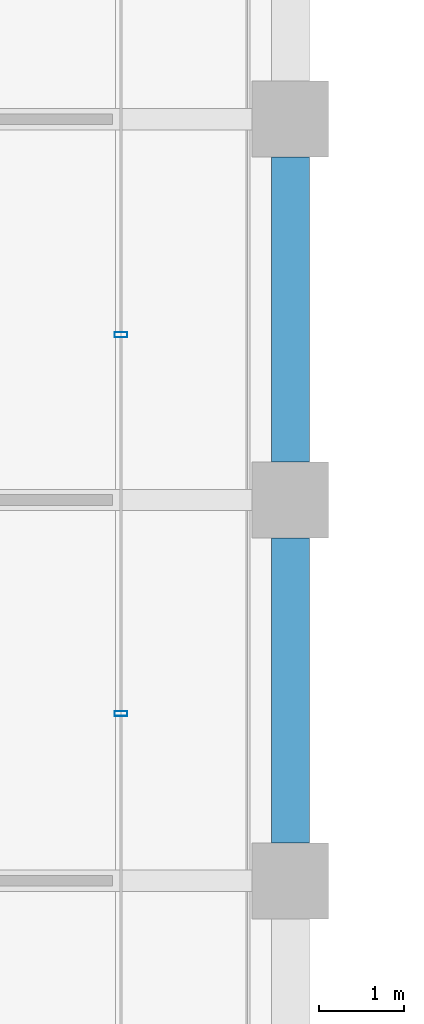
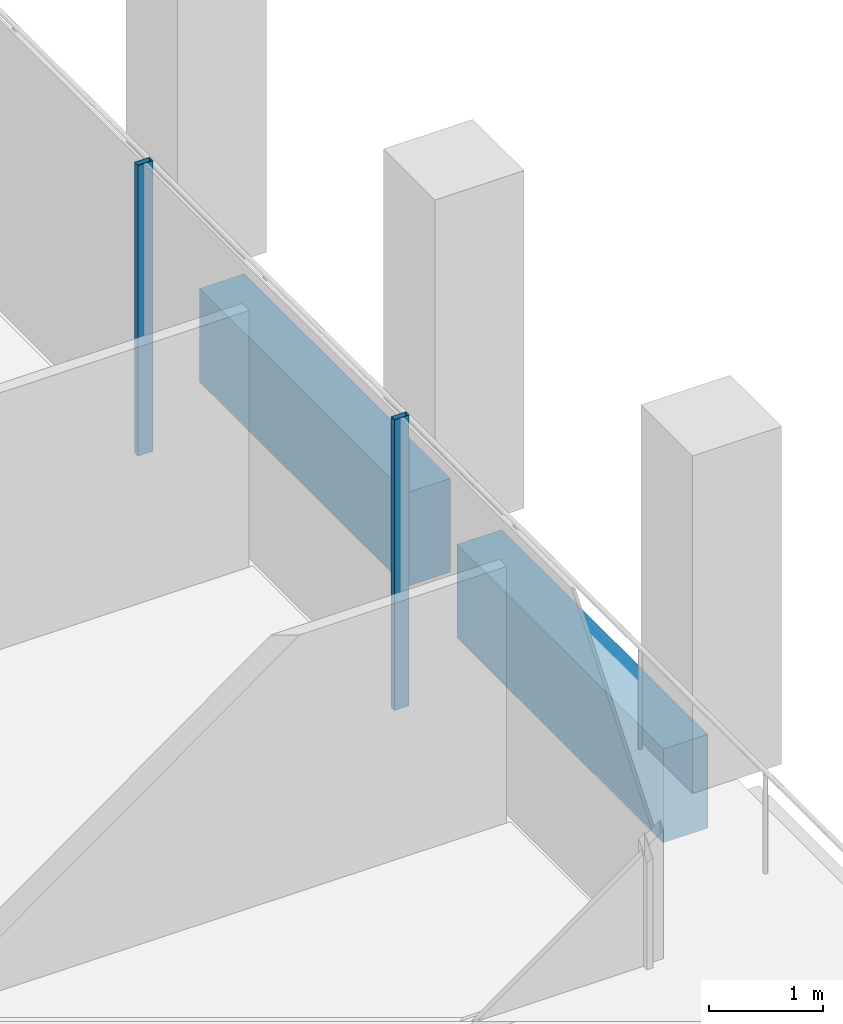
# One storey, part 15 of 40: 2 beams, 2 members, 1 element without a shape of its own.
"""IFC4 building model written with IfcOpenShell, lengths in metres."""

from ifc_helpers import new_model, si_unit, direction, frame, origin, origin_2d, place, context, subcontext, project, spatial, rectangle, hollow_rectangle, extrude, material, material_profile, profile_set, type_object, element, aggregate, save


model = new_model("IFC4")

# Units and contexts
model_context = context("Model", 3, precision=1e-05, world=origin(), true_north=direction((0.0, 1.0)))
body_context = subcontext(model_context, "Body", "Model", "MODEL_VIEW")
ifc_project = project(units=[si_unit("LENGTHUNIT", "METRE"), si_unit("AREAUNIT", "SQUARE_METRE"), si_unit("VOLUMEUNIT", "CUBIC_METRE"), si_unit("PLANEANGLEUNIT", "RADIAN"), si_unit("MASSUNIT", "GRAM", prefix="KILO")], contexts=[model_context])

# Site, building, storey
site_placement = place(None, origin())
site = spatial("IfcSite", under=ifc_project, at=site_placement, CompositionType="ELEMENT")
building_placement = place(site_placement, origin())
building = spatial("IfcBuilding", under=site, at=building_placement, Name="Altepetl Exchange Towers", CompositionType="ELEMENT")
storey_placement = place(building_placement, frame((0.0, 0.0, 176.199951171875)))
storey = spatial("IfcBuildingStorey", under=building, at=storey_placement, Name="L44", CompositionType="ELEMENT", Elevation=176.199951171875)

# Curtain wall, members
ifc_material_1 = material(Name="Aluminium 6063-T6 glazing", Category="aluminium")
curtain_wall_type = type_object("IfcCurtainWallType", Name="Loggia glazing system", PredefinedType="NOTDEFINED", material=ifc_material_1)
curtain_wall_placement = place(storey_placement, origin())
curtain_wall = element("IfcCurtainWall", 1, at=curtain_wall_placement, inside=storey, type_object=curtain_wall_type, Name="CW1 run", PredefinedType="NOTDEFINED")
ifc_material_2 = material(Name="Aluminium 6063-T6", Category="aluminium")
ifc_material_profile_1 = material_profile(ifc_material_2, hollow_rectangle(XDim=0.06005859375, YDim=0.14990234375, WallThickness=0.0029296875, at=origin_2d()), Name="Mullion 60x150 aluminium")
ifc_profile_set_1 = profile_set([ifc_material_profile_1], Name="Aluminium 6063-T6")
member_type = type_object("IfcMemberType", Name="Mullion 60x150 aluminium", PredefinedType="MULLION", material=ifc_profile_set_1)
member_1_placement = place(storey_placement, frame((70.0, 37.97607421875, 0.0), z_axis=(0.0, 0.0, 1.0), x_axis=(0.0, 1.0, 0.0)))
member_1 = element("IfcMember", 2, at=member_1_placement, type_object=member_type, Name="MU1 mullion", PredefinedType="MULLION", context=body_context, shape_type="SweptSolid", body=[
    extrude(hollow_rectangle(XDim=0.06005859375, YDim=0.14990234375, WallThickness=0.0029296875, at=origin_2d()), origin(), (0.0, 0.0, 1.0), 3.10009765625),
])
member_2_placement = place(storey_placement, frame((70.0, 42.451904296875, 0.0), z_axis=(0.0, 0.0, 1.0), x_axis=(0.0, 1.0, 0.0)))
member_2 = element("IfcMember", 3, at=member_2_placement, type_object=member_type, Name="MU1 mullion", PredefinedType="MULLION", context=body_context, shape_type="SweptSolid", body=[
    extrude(hollow_rectangle(XDim=0.06005859375, YDim=0.14990234375, WallThickness=0.0029296875, at=origin_2d()), origin(), (0.0, 0.0, 1.0), 3.10009765625),
])
aggregate(curtain_wall, [member_1, member_2])

# Beams
ifc_material_3 = material(Name="Concrete C50/60 precast with cantera amarilla facing", Category="concrete")
ifc_material_profile_2 = material_profile(ifc_material_3, rectangle(XDim=0.449951171875, YDim=1.0, at=origin_2d()), Name="450 x 1000")
ifc_profile_set_2 = profile_set([ifc_material_profile_2], Name="Concrete C50/60 precast with cantera amarilla facing")
beam_type = type_object("IfcBeamType", Name="Spandrel beam 450x1000 cantera amarilla", PredefinedType="SPANDREL", material=ifc_profile_set_2)
for number, where, z_axis, x_axis, name in (
    (4, (72.0, 36.449951171875, -0.64990234375), (0.0, 1.0, 0.0), (-1.0, 0.0, 0.0), "sp:A:L44:013"),
    (5, (72.0, 40.949951171875, -0.64990234375), (0.0, 1.0, 0.0), (-1.0, 0.0, 0.0), "sp:A:L44:014"),
):
    element("IfcBeam", number, at=place(storey_placement, frame(where, z_axis=z_axis, x_axis=x_axis)), inside=storey, type_object=beam_type, Name=name, PredefinedType="SPANDREL", context=body_context, shape_type="SweptSolid", body=[
        extrude(rectangle(XDim=0.449951171875, YDim=1.0, at=origin_2d()), origin(), (0.0, 0.0, 1.0), 3.60009765625),
    ])

save(model, "model.ifc")
